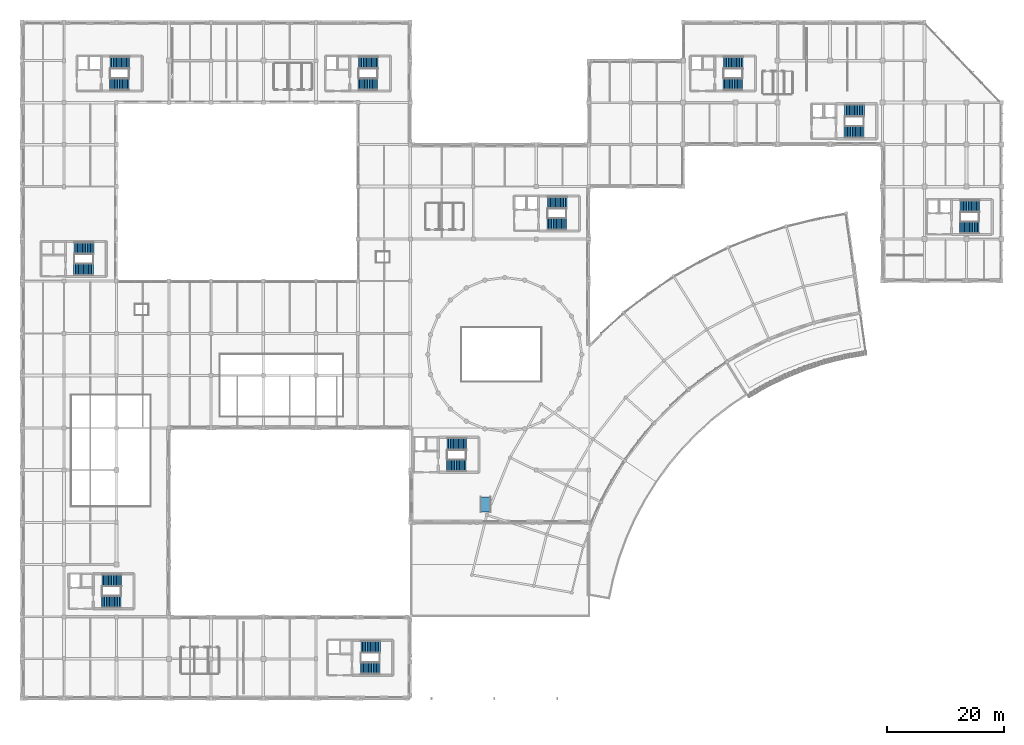
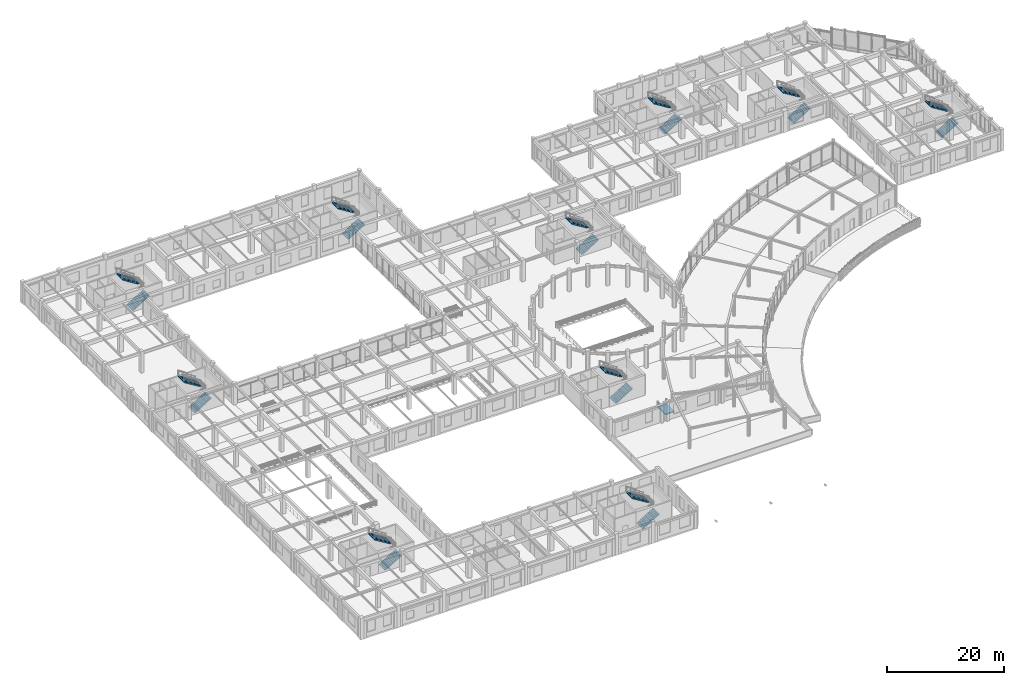
# One storey, part 49 of 62: 20 stair flights, 1 ramp flight, 11 elements without a shape of their own.
"""IFC4 building model written with IfcOpenShell, lengths in metres."""

from ifc_helpers import new_model, si_unit, direction, frame, origin, place, context, subcontext, project, spatial, polyline, outline, extrude, material, layer, layer_set, type_object, element, aggregate, save


model = new_model("IFC4")

# Units and contexts
model_context = context("Model", 3, precision=1e-05, world=origin(), true_north=direction((0.0, 1.0)))
body_context = subcontext(model_context, "Body", "Model", "MODEL_VIEW")
ifc_project = project(units=[si_unit("LENGTHUNIT", "METRE"), si_unit("AREAUNIT", "SQUARE_METRE"), si_unit("VOLUMEUNIT", "CUBIC_METRE"), si_unit("PLANEANGLEUNIT", "RADIAN"), si_unit("MASSUNIT", "GRAM", prefix="KILO")], contexts=[model_context])

# Site, building, storey
site_placement = place(None, origin())
site = spatial("IfcSite", under=ifc_project, at=site_placement, CompositionType="ELEMENT")
building_placement = place(site_placement, origin())
building = spatial("IfcBuilding", under=site, at=building_placement, Name="Clarverna Civic Hall", CompositionType="ELEMENT")
storey_placement = place(building_placement, frame((0.0, 0.0, 5.10009765625)))
storey = spatial("IfcBuildingStorey", under=building, at=storey_placement, Name="L01", CompositionType="ELEMENT", Elevation=5.10009765625)

# Stair, stair flights
ifc_material = material(Name="Concrete C30/37", Category="concrete")
stair_type_1 = type_object("IfcStairType", Name="ST-U1", PredefinedType="HALF_TURN_STAIR", material=ifc_material)
stair_1_placement = place(storey_placement, origin())
stair_1 = element("IfcStair", 1, at=stair_1_placement, inside=storey, type_object=stair_type_1, Name="ST-U1:L01:0002", PredefinedType="HALF_TURN_STAIR")
stair_flight_type = type_object("IfcStairFlightType", Name="SF-01", PredefinedType="STRAIGHT", material=ifc_material)
stair_flight_1_placement = place(storey_placement, frame((141.010009765625, 97.179931640625, 0.0), z_axis=(0.0, 0.0, 1.0), x_axis=(1.0, 0.0, 0.0)))
stair_flight_1 = element("IfcStairFlight", 2, at=stair_flight_1_placement, type_object=stair_flight_type, Name="SF-01:L01:0003", NumberOfRisers=13, NumberOfTreads=12, PredefinedType="STRAIGHT", RiserHeight=0.173077, TreadLength=0.28, context=body_context, shape_type="SweptSolid", body=[
    extrude(outline(polyline([(0.0, 0.0), (0.0, 0.173095703125), (0.280029296875, 0.173095703125), (0.280029296875, 0.34619140625), (0.56005859375, 0.34619140625), (0.56005859375, 0.519287109375), (0.840087890625, 0.519287109375), (0.840087890625, 0.6923828125), (1.1201171875, 0.6923828125), (1.1201171875, 0.865478515625), (1.39990234375, 0.865478515625), (1.39990234375, 1.03857421875), (1.679931640625, 1.03857421875), (1.679931640625, 1.21142578125), (1.9599609375, 1.21142578125), (1.9599609375, 1.384521484375), (2.239990234375, 1.384521484375), (2.239990234375, 1.5576171875), (2.52001953125, 1.5576171875), (2.52001953125, 1.730712890625), (2.800048828125, 1.730712890625), (2.800048828125, 1.90380859375), (3.080078125, 1.90380859375), (3.080078125, 2.076904296875), (3.360107421875, 2.076904296875), (3.360107421875, 2.25), (3.360107421875, 1.865478515625), (0.34228515625, 0.0), (0.0, 0.0)])), frame((0.0, 1.02001953125, 0.0), z_axis=(0.0, -1.0, 0.0), x_axis=(1.0, 0.0, 0.0)), (0.0, 0.0, 1.0), 2.0400390625),
])
stair_flight_2_placement = place(storey_placement, frame((144.4599609375, 100.820068359375, 2.25), z_axis=(0.0, 0.0, 1.0), x_axis=(-1.0, 0.0, 0.0)))
stair_flight_2 = element("IfcStairFlight", 3, at=stair_flight_2_placement, type_object=stair_flight_type, Name="SF-01:L01:0004", NumberOfRisers=13, NumberOfTreads=12, PredefinedType="STRAIGHT", RiserHeight=0.173077, TreadLength=0.28, context=body_context, shape_type="SweptSolid", body=[
    extrude(outline(polyline([(0.0, 0.0), (0.0, 0.173095703125), (0.280029296875, 0.173095703125), (0.280029296875, 0.34619140625), (0.56005859375, 0.34619140625), (0.56005859375, 0.519287109375), (0.840087890625, 0.519287109375), (0.840087890625, 0.6923828125), (1.1201171875, 0.6923828125), (1.1201171875, 0.865478515625), (1.39990234375, 0.865478515625), (1.39990234375, 1.03857421875), (1.679931640625, 1.03857421875), (1.679931640625, 1.21142578125), (1.9599609375, 1.21142578125), (1.9599609375, 1.384521484375), (2.239990234375, 1.384521484375), (2.239990234375, 1.5576171875), (2.52001953125, 1.5576171875), (2.52001953125, 1.730712890625), (2.800048828125, 1.730712890625), (2.800048828125, 1.90380859375), (3.080078125, 1.90380859375), (3.080078125, 2.076904296875), (3.360107421875, 2.076904296875), (3.360107421875, 2.25), (3.360107421875, 1.865478515625), (0.34228515625, 0.0), (0.0, 0.0)])), frame((0.0, 1.02001953125, 0.0), z_axis=(0.0, -1.0, 0.0), x_axis=(1.0, 0.0, 0.0)), (0.0, 0.0, 1.0), 2.0400390625),
])
aggregate(stair_1, [stair_flight_1, stair_flight_2])

stair_2_placement = place(storey_placement, origin())
stair_2 = element("IfcStair", 4, at=stair_2_placement, inside=storey, type_object=stair_type_1, Name="ST-U1:L01:0004", PredefinedType="HALF_TURN_STAIR")
stair_flight_3_placement = place(storey_placement, frame((160.81005859375, 80.780029296875, 0.0), z_axis=(0.0, 0.0, 1.0), x_axis=(1.0, 0.0, 0.0)))
stair_flight_3 = element("IfcStairFlight", 5, at=stair_flight_3_placement, type_object=stair_flight_type, Name="SF-01:L01:0007", NumberOfRisers=13, NumberOfTreads=12, PredefinedType="STRAIGHT", RiserHeight=0.173077, TreadLength=0.28, context=body_context, shape_type="SweptSolid", body=[
    extrude(outline(polyline([(0.0, 0.0), (0.0, 0.173095703125), (0.280029296875, 0.173095703125), (0.280029296875, 0.34619140625), (0.56005859375, 0.34619140625), (0.56005859375, 0.519287109375), (0.840087890625, 0.519287109375), (0.840087890625, 0.6923828125), (1.1201171875, 0.6923828125), (1.1201171875, 0.865478515625), (1.39990234375, 0.865478515625), (1.39990234375, 1.03857421875), (1.679931640625, 1.03857421875), (1.679931640625, 1.21142578125), (1.9599609375, 1.21142578125), (1.9599609375, 1.384521484375), (2.239990234375, 1.384521484375), (2.239990234375, 1.5576171875), (2.52001953125, 1.5576171875), (2.52001953125, 1.730712890625), (2.800048828125, 1.730712890625), (2.800048828125, 1.90380859375), (3.080078125, 1.90380859375), (3.080078125, 2.076904296875), (3.360107421875, 2.076904296875), (3.360107421875, 2.25), (3.360107421875, 1.865478515625), (0.34228515625, 0.0), (0.0, 0.0)])), frame((0.0, 1.02001953125, 0.0), z_axis=(0.0, -1.0, 0.0), x_axis=(1.0, 0.0, 0.0)), (0.0, 0.0, 1.0), 2.0400390625),
])
stair_flight_4_placement = place(storey_placement, frame((164.260009765625, 84.419921875, 2.25), z_axis=(0.0, 0.0, 1.0), x_axis=(-1.0, 0.0, 0.0)))
stair_flight_4 = element("IfcStairFlight", 6, at=stair_flight_4_placement, type_object=stair_flight_type, Name="SF-01:L01:0008", NumberOfRisers=13, NumberOfTreads=12, PredefinedType="STRAIGHT", RiserHeight=0.173077, TreadLength=0.28, context=body_context, shape_type="SweptSolid", body=[
    extrude(outline(polyline([(0.0, 0.0), (0.0, 0.173095703125), (0.280029296875, 0.173095703125), (0.280029296875, 0.34619140625), (0.56005859375, 0.34619140625), (0.56005859375, 0.519287109375), (0.840087890625, 0.519287109375), (0.840087890625, 0.6923828125), (1.1201171875, 0.6923828125), (1.1201171875, 0.865478515625), (1.39990234375, 0.865478515625), (1.39990234375, 1.03857421875), (1.679931640625, 1.03857421875), (1.679931640625, 1.21142578125), (1.9599609375, 1.21142578125), (1.9599609375, 1.384521484375), (2.239990234375, 1.384521484375), (2.239990234375, 1.5576171875), (2.52001953125, 1.5576171875), (2.52001953125, 1.730712890625), (2.800048828125, 1.730712890625), (2.800048828125, 1.90380859375), (3.080078125, 1.90380859375), (3.080078125, 2.076904296875), (3.360107421875, 2.076904296875), (3.360107421875, 2.25), (3.360107421875, 1.865478515625), (0.34228515625, 0.0), (0.0, 0.0)])), frame((0.0, 1.02001953125, 0.0), z_axis=(0.0, -1.0, 0.0), x_axis=(1.0, 0.0, 0.0)), (0.0, 0.0, 1.0), 2.0400390625),
])
aggregate(stair_2, [stair_flight_3, stair_flight_4])

stair_type_2 = type_object("IfcStairType", Name="ST-U2", PredefinedType="HALF_TURN_STAIR", material=ifc_material)
stair_3_placement = place(storey_placement, origin())
stair_3 = element("IfcStair", 7, at=stair_3_placement, inside=storey, type_object=stair_type_2, Name="ST-U2:L01:0002", PredefinedType="HALF_TURN_STAIR")
stair_flight_5_placement = place(storey_placement, frame((90.010009765625, 81.3798828125, 0.0), z_axis=(0.0, 0.0, 1.0), x_axis=(1.0, 0.0, 0.0)))
stair_flight_5 = element("IfcStairFlight", 8, at=stair_flight_5_placement, type_object=stair_flight_type, Name="SF-01:L01:0011", NumberOfRisers=13, NumberOfTreads=12, PredefinedType="STRAIGHT", RiserHeight=0.173077, TreadLength=0.28, context=body_context, shape_type="SweptSolid", body=[
    extrude(outline(polyline([(0.0, 0.0), (0.0, 0.173095703125), (0.280029296875, 0.173095703125), (0.280029296875, 0.34619140625), (0.56005859375, 0.34619140625), (0.56005859375, 0.519287109375), (0.840087890625, 0.519287109375), (0.840087890625, 0.6923828125), (1.1201171875, 0.6923828125), (1.1201171875, 0.865478515625), (1.39990234375, 0.865478515625), (1.39990234375, 1.03857421875), (1.679931640625, 1.03857421875), (1.679931640625, 1.21142578125), (1.9599609375, 1.21142578125), (1.9599609375, 1.384521484375), (2.239990234375, 1.384521484375), (2.239990234375, 1.5576171875), (2.52001953125, 1.5576171875), (2.52001953125, 1.730712890625), (2.800048828125, 1.730712890625), (2.800048828125, 1.90380859375), (3.080078125, 1.90380859375), (3.080078125, 2.076904296875), (3.360107421875, 2.076904296875), (3.360107421875, 2.25), (3.360107421875, 1.865478515625), (0.34228515625, 0.0), (0.0, 0.0)])), frame((0.0, 1.02001953125, 0.0), z_axis=(0.0, -1.0, 0.0), x_axis=(1.0, 0.0, 0.0)), (0.0, 0.0, 1.0), 2.0400390625),
])
stair_flight_6_placement = place(storey_placement, frame((93.4599609375, 85.02001953125, 2.25), z_axis=(0.0, 0.0, 1.0), x_axis=(-1.0, 0.0, 0.0)))
stair_flight_6 = element("IfcStairFlight", 9, at=stair_flight_6_placement, type_object=stair_flight_type, Name="SF-01:L01:0012", NumberOfRisers=13, NumberOfTreads=12, PredefinedType="STRAIGHT", RiserHeight=0.173077, TreadLength=0.28, context=body_context, shape_type="SweptSolid", body=[
    extrude(outline(polyline([(0.0, 0.0), (0.0, 0.173095703125), (0.280029296875, 0.173095703125), (0.280029296875, 0.34619140625), (0.56005859375, 0.34619140625), (0.56005859375, 0.519287109375), (0.840087890625, 0.519287109375), (0.840087890625, 0.6923828125), (1.1201171875, 0.6923828125), (1.1201171875, 0.865478515625), (1.39990234375, 0.865478515625), (1.39990234375, 1.03857421875), (1.679931640625, 1.03857421875), (1.679931640625, 1.21142578125), (1.9599609375, 1.21142578125), (1.9599609375, 1.384521484375), (2.239990234375, 1.384521484375), (2.239990234375, 1.5576171875), (2.52001953125, 1.5576171875), (2.52001953125, 1.730712890625), (2.800048828125, 1.730712890625), (2.800048828125, 1.90380859375), (3.080078125, 1.90380859375), (3.080078125, 2.076904296875), (3.360107421875, 2.076904296875), (3.360107421875, 2.25), (3.360107421875, 1.865478515625), (0.34228515625, 0.0), (0.0, 0.0)])), frame((0.0, 1.02001953125, 0.0), z_axis=(0.0, -1.0, 0.0), x_axis=(1.0, 0.0, 0.0)), (0.0, 0.0, 1.0), 2.0400390625),
])
aggregate(stair_3, [stair_flight_5, stair_flight_6])

stair_4_placement = place(storey_placement, origin())
stair_4 = element("IfcStair", 10, at=stair_4_placement, inside=storey, type_object=stair_type_1, Name="ST-U1:L01:0006", PredefinedType="HALF_TURN_STAIR")
stair_flight_7_placement = place(storey_placement, frame((72.81005859375, 39.97998046875, 0.0), z_axis=(0.0, 0.0, 1.0), x_axis=(1.0, 0.0, 0.0)))
stair_flight_7 = element("IfcStairFlight", 11, at=stair_flight_7_placement, type_object=stair_flight_type, Name="SF-01:L01:0015", NumberOfRisers=13, NumberOfTreads=12, PredefinedType="STRAIGHT", RiserHeight=0.173077, TreadLength=0.28, context=body_context, shape_type="SweptSolid", body=[
    extrude(outline(polyline([(0.0, 0.0), (0.0, 0.173095703125), (0.280029296875, 0.173095703125), (0.280029296875, 0.34619140625), (0.56005859375, 0.34619140625), (0.56005859375, 0.519287109375), (0.840087890625, 0.519287109375), (0.840087890625, 0.6923828125), (1.1201171875, 0.6923828125), (1.1201171875, 0.865478515625), (1.39990234375, 0.865478515625), (1.39990234375, 1.03857421875), (1.679931640625, 1.03857421875), (1.679931640625, 1.21142578125), (1.9599609375, 1.21142578125), (1.9599609375, 1.384521484375), (2.239990234375, 1.384521484375), (2.239990234375, 1.5576171875), (2.52001953125, 1.5576171875), (2.52001953125, 1.730712890625), (2.800048828125, 1.730712890625), (2.800048828125, 1.90380859375), (3.080078125, 1.90380859375), (3.080078125, 2.076904296875), (3.360107421875, 2.076904296875), (3.360107421875, 2.25), (3.360107421875, 1.865478515625), (0.34228515625, 0.0), (0.0, 0.0)])), frame((0.0, 1.02001953125, 0.0), z_axis=(0.0, -1.0, 0.0), x_axis=(1.0, 0.0, 0.0)), (0.0, 0.0, 1.0), 2.0400390625),
])
stair_flight_8_placement = place(storey_placement, frame((76.260009765625, 43.6201171875, 2.25), z_axis=(0.0, 0.0, 1.0), x_axis=(-1.0, 0.0, 0.0)))
stair_flight_8 = element("IfcStairFlight", 12, at=stair_flight_8_placement, type_object=stair_flight_type, Name="SF-01:L01:0016", NumberOfRisers=13, NumberOfTreads=12, PredefinedType="STRAIGHT", RiserHeight=0.173077, TreadLength=0.28, context=body_context, shape_type="SweptSolid", body=[
    extrude(outline(polyline([(0.0, 0.0), (0.0, 0.173095703125), (0.280029296875, 0.173095703125), (0.280029296875, 0.34619140625), (0.56005859375, 0.34619140625), (0.56005859375, 0.519287109375), (0.840087890625, 0.519287109375), (0.840087890625, 0.6923828125), (1.1201171875, 0.6923828125), (1.1201171875, 0.865478515625), (1.39990234375, 0.865478515625), (1.39990234375, 1.03857421875), (1.679931640625, 1.03857421875), (1.679931640625, 1.21142578125), (1.9599609375, 1.21142578125), (1.9599609375, 1.384521484375), (2.239990234375, 1.384521484375), (2.239990234375, 1.5576171875), (2.52001953125, 1.5576171875), (2.52001953125, 1.730712890625), (2.800048828125, 1.730712890625), (2.800048828125, 1.90380859375), (3.080078125, 1.90380859375), (3.080078125, 2.076904296875), (3.360107421875, 2.076904296875), (3.360107421875, 2.25), (3.360107421875, 1.865478515625), (0.34228515625, 0.0), (0.0, 0.0)])), frame((0.0, 1.02001953125, 0.0), z_axis=(0.0, -1.0, 0.0), x_axis=(1.0, 0.0, 0.0)), (0.0, 0.0, 1.0), 2.0400390625),
])
aggregate(stair_4, [stair_flight_7, stair_flight_8])

stair_5_placement = place(storey_placement, origin())
stair_5 = element("IfcStair", 13, at=stair_5_placement, inside=storey, type_object=stair_type_1, Name="ST-U1:L01:0008", PredefinedType="HALF_TURN_STAIR")
stair_flight_9_placement = place(storey_placement, frame((15.010009765625, 105.3798828125, 0.0), z_axis=(0.0, 0.0, 1.0), x_axis=(1.0, 0.0, 0.0)))
stair_flight_9 = element("IfcStairFlight", 14, at=stair_flight_9_placement, type_object=stair_flight_type, Name="SF-01:L01:0019", NumberOfRisers=13, NumberOfTreads=12, PredefinedType="STRAIGHT", RiserHeight=0.173077, TreadLength=0.28, context=body_context, shape_type="SweptSolid", body=[
    extrude(outline(polyline([(0.0, 0.0), (0.0, 0.173095703125), (0.280029296875, 0.173095703125), (0.280029296875, 0.34619140625), (0.56005859375, 0.34619140625), (0.56005859375, 0.519287109375), (0.840087890625, 0.519287109375), (0.840087890625, 0.6923828125), (1.1201171875, 0.6923828125), (1.1201171875, 0.865478515625), (1.39990234375, 0.865478515625), (1.39990234375, 1.03857421875), (1.679931640625, 1.03857421875), (1.679931640625, 1.21142578125), (1.9599609375, 1.21142578125), (1.9599609375, 1.384521484375), (2.239990234375, 1.384521484375), (2.239990234375, 1.5576171875), (2.52001953125, 1.5576171875), (2.52001953125, 1.730712890625), (2.800048828125, 1.730712890625), (2.800048828125, 1.90380859375), (3.080078125, 1.90380859375), (3.080078125, 2.076904296875), (3.360107421875, 2.076904296875), (3.360107421875, 2.25), (3.360107421875, 1.865478515625), (0.34228515625, 0.0), (0.0, 0.0)])), frame((0.0, 1.02001953125, 0.0), z_axis=(0.0, -1.0, 0.0), x_axis=(1.0, 0.0, 0.0)), (0.0, 0.0, 1.0), 2.0400390625),
])
stair_flight_10_placement = place(storey_placement, frame((18.4599609375, 109.02001953125, 2.25), z_axis=(0.0, 0.0, 1.0), x_axis=(-1.0, 0.0, 0.0)))
stair_flight_10 = element("IfcStairFlight", 15, at=stair_flight_10_placement, type_object=stair_flight_type, Name="SF-01:L01:0020", NumberOfRisers=13, NumberOfTreads=12, PredefinedType="STRAIGHT", RiserHeight=0.173077, TreadLength=0.28, context=body_context, shape_type="SweptSolid", body=[
    extrude(outline(polyline([(0.0, 0.0), (0.0, 0.173095703125), (0.280029296875, 0.173095703125), (0.280029296875, 0.34619140625), (0.56005859375, 0.34619140625), (0.56005859375, 0.519287109375), (0.840087890625, 0.519287109375), (0.840087890625, 0.6923828125), (1.1201171875, 0.6923828125), (1.1201171875, 0.865478515625), (1.39990234375, 0.865478515625), (1.39990234375, 1.03857421875), (1.679931640625, 1.03857421875), (1.679931640625, 1.21142578125), (1.9599609375, 1.21142578125), (1.9599609375, 1.384521484375), (2.239990234375, 1.384521484375), (2.239990234375, 1.5576171875), (2.52001953125, 1.5576171875), (2.52001953125, 1.730712890625), (2.800048828125, 1.730712890625), (2.800048828125, 1.90380859375), (3.080078125, 1.90380859375), (3.080078125, 2.076904296875), (3.360107421875, 2.076904296875), (3.360107421875, 2.25), (3.360107421875, 1.865478515625), (0.34228515625, 0.0), (0.0, 0.0)])), frame((0.0, 1.02001953125, 0.0), z_axis=(0.0, -1.0, 0.0), x_axis=(1.0, 0.0, 0.0)), (0.0, 0.0, 1.0), 2.0400390625),
])
aggregate(stair_5, [stair_flight_9, stair_flight_10])

stair_6_placement = place(storey_placement, origin())
stair_6 = element("IfcStair", 16, at=stair_6_placement, inside=storey, type_object=stair_type_1, Name="ST-U1:L01:0010", PredefinedType="HALF_TURN_STAIR")
stair_flight_11_placement = place(storey_placement, frame((58.010009765625, 5.179931640625, 0.0), z_axis=(0.0, 0.0, 1.0), x_axis=(1.0, 0.0, 0.0)))
stair_flight_11 = element("IfcStairFlight", 17, at=stair_flight_11_placement, type_object=stair_flight_type, Name="SF-01:L01:0023", NumberOfRisers=13, NumberOfTreads=12, PredefinedType="STRAIGHT", RiserHeight=0.173077, TreadLength=0.28, context=body_context, shape_type="SweptSolid", body=[
    extrude(outline(polyline([(0.0, 0.0), (0.0, 0.173095703125), (0.280029296875, 0.173095703125), (0.280029296875, 0.34619140625), (0.56005859375, 0.34619140625), (0.56005859375, 0.519287109375), (0.840087890625, 0.519287109375), (0.840087890625, 0.6923828125), (1.1201171875, 0.6923828125), (1.1201171875, 0.865478515625), (1.39990234375, 0.865478515625), (1.39990234375, 1.03857421875), (1.679931640625, 1.03857421875), (1.679931640625, 1.21142578125), (1.9599609375, 1.21142578125), (1.9599609375, 1.384521484375), (2.239990234375, 1.384521484375), (2.239990234375, 1.5576171875), (2.52001953125, 1.5576171875), (2.52001953125, 1.730712890625), (2.800048828125, 1.730712890625), (2.800048828125, 1.90380859375), (3.080078125, 1.90380859375), (3.080078125, 2.076904296875), (3.360107421875, 2.076904296875), (3.360107421875, 2.25), (3.360107421875, 1.865478515625), (0.34228515625, 0.0), (0.0, 0.0)])), frame((0.0, 1.02001953125, 0.0), z_axis=(0.0, -1.0, 0.0), x_axis=(1.0, 0.0, 0.0)), (0.0, 0.0, 1.0), 2.0400390625),
])
stair_flight_12_placement = place(storey_placement, frame((61.4599609375, 8.820068359375, 2.25), z_axis=(0.0, 0.0, 1.0), x_axis=(-1.0, 0.0, 0.0)))
stair_flight_12 = element("IfcStairFlight", 18, at=stair_flight_12_placement, type_object=stair_flight_type, Name="SF-01:L01:0024", NumberOfRisers=13, NumberOfTreads=12, PredefinedType="STRAIGHT", RiserHeight=0.173077, TreadLength=0.28, context=body_context, shape_type="SweptSolid", body=[
    extrude(outline(polyline([(0.0, 0.0), (0.0, 0.173095703125), (0.280029296875, 0.173095703125), (0.280029296875, 0.34619140625), (0.56005859375, 0.34619140625), (0.56005859375, 0.519287109375), (0.840087890625, 0.519287109375), (0.840087890625, 0.6923828125), (1.1201171875, 0.6923828125), (1.1201171875, 0.865478515625), (1.39990234375, 0.865478515625), (1.39990234375, 1.03857421875), (1.679931640625, 1.03857421875), (1.679931640625, 1.21142578125), (1.9599609375, 1.21142578125), (1.9599609375, 1.384521484375), (2.239990234375, 1.384521484375), (2.239990234375, 1.5576171875), (2.52001953125, 1.5576171875), (2.52001953125, 1.730712890625), (2.800048828125, 1.730712890625), (2.800048828125, 1.90380859375), (3.080078125, 1.90380859375), (3.080078125, 2.076904296875), (3.360107421875, 2.076904296875), (3.360107421875, 2.25), (3.360107421875, 1.865478515625), (0.34228515625, 0.0), (0.0, 0.0)])), frame((0.0, 1.02001953125, 0.0), z_axis=(0.0, -1.0, 0.0), x_axis=(1.0, 0.0, 0.0)), (0.0, 0.0, 1.0), 2.0400390625),
])
aggregate(stair_6, [stair_flight_11, stair_flight_12])

stair_7_placement = place(storey_placement, origin())
stair_7 = element("IfcStair", 19, at=stair_7_placement, inside=storey, type_object=stair_type_1, Name="ST-U1:L01:0012", PredefinedType="HALF_TURN_STAIR")
stair_flight_13_placement = place(storey_placement, frame((13.610107421875, 16.580078125, 0.0), z_axis=(0.0, 0.0, 1.0), x_axis=(1.0, 0.0, 0.0)))
stair_flight_13 = element("IfcStairFlight", 20, at=stair_flight_13_placement, type_object=stair_flight_type, Name="SF-01:L01:0027", NumberOfRisers=13, NumberOfTreads=12, PredefinedType="STRAIGHT", RiserHeight=0.173077, TreadLength=0.28, context=body_context, shape_type="SweptSolid", body=[
    extrude(outline(polyline([(0.0, 0.0), (0.0, 0.173095703125), (0.280029296875, 0.173095703125), (0.280029296875, 0.34619140625), (0.56005859375, 0.34619140625), (0.56005859375, 0.519287109375), (0.840087890625, 0.519287109375), (0.840087890625, 0.6923828125), (1.1201171875, 0.6923828125), (1.1201171875, 0.865478515625), (1.39990234375, 0.865478515625), (1.39990234375, 1.03857421875), (1.679931640625, 1.03857421875), (1.679931640625, 1.21142578125), (1.9599609375, 1.21142578125), (1.9599609375, 1.384521484375), (2.239990234375, 1.384521484375), (2.239990234375, 1.5576171875), (2.52001953125, 1.5576171875), (2.52001953125, 1.730712890625), (2.800048828125, 1.730712890625), (2.800048828125, 1.90380859375), (3.080078125, 1.90380859375), (3.080078125, 2.076904296875), (3.360107421875, 2.076904296875), (3.360107421875, 2.25), (3.360107421875, 1.865478515625), (0.34228515625, 0.0), (0.0, 0.0)])), frame((0.0, 1.02001953125, 0.0), z_axis=(0.0, -1.0, 0.0), x_axis=(1.0, 0.0, 0.0)), (0.0, 0.0, 1.0), 2.0400390625),
])
stair_flight_14_placement = place(storey_placement, frame((17.06005859375, 20.219970703125, 2.25), z_axis=(0.0, 0.0, 1.0), x_axis=(-1.0, 0.0, 0.0)))
stair_flight_14 = element("IfcStairFlight", 21, at=stair_flight_14_placement, type_object=stair_flight_type, Name="SF-01:L01:0028", NumberOfRisers=13, NumberOfTreads=12, PredefinedType="STRAIGHT", RiserHeight=0.173077, TreadLength=0.28, context=body_context, shape_type="SweptSolid", body=[
    extrude(outline(polyline([(0.0, 0.0), (0.0, 0.173095703125), (0.280029296875, 0.173095703125), (0.280029296875, 0.34619140625), (0.56005859375, 0.34619140625), (0.56005859375, 0.519287109375), (0.840087890625, 0.519287109375), (0.840087890625, 0.6923828125), (1.1201171875, 0.6923828125), (1.1201171875, 0.865478515625), (1.39990234375, 0.865478515625), (1.39990234375, 1.03857421875), (1.679931640625, 1.03857421875), (1.679931640625, 1.21142578125), (1.9599609375, 1.21142578125), (1.9599609375, 1.384521484375), (2.239990234375, 1.384521484375), (2.239990234375, 1.5576171875), (2.52001953125, 1.5576171875), (2.52001953125, 1.730712890625), (2.800048828125, 1.730712890625), (2.800048828125, 1.90380859375), (3.080078125, 1.90380859375), (3.080078125, 2.076904296875), (3.360107421875, 2.076904296875), (3.360107421875, 2.25), (3.360107421875, 1.865478515625), (0.34228515625, 0.0), (0.0, 0.0)])), frame((0.0, 1.02001953125, 0.0), z_axis=(0.0, -1.0, 0.0), x_axis=(1.0, 0.0, 0.0)), (0.0, 0.0, 1.0), 2.0400390625),
])
aggregate(stair_7, [stair_flight_13, stair_flight_14])

stair_8_placement = place(storey_placement, origin())
stair_8 = element("IfcStair", 22, at=stair_8_placement, inside=storey, type_object=stair_type_1, Name="ST-U1:L01:0014", PredefinedType="HALF_TURN_STAIR")
stair_flight_15_placement = place(storey_placement, frame((120.2099609375, 105.3798828125, 0.0), z_axis=(0.0, 0.0, 1.0), x_axis=(1.0, 0.0, 0.0)))
stair_flight_15 = element("IfcStairFlight", 23, at=stair_flight_15_placement, type_object=stair_flight_type, Name="SF-01:L01:0031", NumberOfRisers=13, NumberOfTreads=12, PredefinedType="STRAIGHT", RiserHeight=0.173077, TreadLength=0.28, context=body_context, shape_type="SweptSolid", body=[
    extrude(outline(polyline([(0.0, 0.0), (0.0, 0.173095703125), (0.280029296875, 0.173095703125), (0.280029296875, 0.34619140625), (0.56005859375, 0.34619140625), (0.56005859375, 0.519287109375), (0.840087890625, 0.519287109375), (0.840087890625, 0.6923828125), (1.1201171875, 0.6923828125), (1.1201171875, 0.865478515625), (1.39990234375, 0.865478515625), (1.39990234375, 1.03857421875), (1.679931640625, 1.03857421875), (1.679931640625, 1.21142578125), (1.9599609375, 1.21142578125), (1.9599609375, 1.384521484375), (2.239990234375, 1.384521484375), (2.239990234375, 1.5576171875), (2.52001953125, 1.5576171875), (2.52001953125, 1.730712890625), (2.800048828125, 1.730712890625), (2.800048828125, 1.90380859375), (3.080078125, 1.90380859375), (3.080078125, 2.076904296875), (3.360107421875, 2.076904296875), (3.360107421875, 2.25), (3.360107421875, 1.865478515625), (0.34228515625, 0.0), (0.0, 0.0)])), frame((0.0, 1.02001953125, 0.0), z_axis=(0.0, -1.0, 0.0), x_axis=(1.0, 0.0, 0.0)), (0.0, 0.0, 1.0), 2.0400390625),
])
stair_flight_16_placement = place(storey_placement, frame((123.659912109375, 109.02001953125, 2.25), z_axis=(0.0, 0.0, 1.0), x_axis=(-1.0, 0.0, 0.0)))
stair_flight_16 = element("IfcStairFlight", 24, at=stair_flight_16_placement, type_object=stair_flight_type, Name="SF-01:L01:0032", NumberOfRisers=13, NumberOfTreads=12, PredefinedType="STRAIGHT", RiserHeight=0.173077, TreadLength=0.28, context=body_context, shape_type="SweptSolid", body=[
    extrude(outline(polyline([(0.0, 0.0), (0.0, 0.173095703125), (0.280029296875, 0.173095703125), (0.280029296875, 0.34619140625), (0.56005859375, 0.34619140625), (0.56005859375, 0.519287109375), (0.840087890625, 0.519287109375), (0.840087890625, 0.6923828125), (1.1201171875, 0.6923828125), (1.1201171875, 0.865478515625), (1.39990234375, 0.865478515625), (1.39990234375, 1.03857421875), (1.679931640625, 1.03857421875), (1.679931640625, 1.21142578125), (1.9599609375, 1.21142578125), (1.9599609375, 1.384521484375), (2.239990234375, 1.384521484375), (2.239990234375, 1.5576171875), (2.52001953125, 1.5576171875), (2.52001953125, 1.730712890625), (2.800048828125, 1.730712890625), (2.800048828125, 1.90380859375), (3.080078125, 1.90380859375), (3.080078125, 2.076904296875), (3.360107421875, 2.076904296875), (3.360107421875, 2.25), (3.360107421875, 1.865478515625), (0.34228515625, 0.0), (0.0, 0.0)])), frame((0.0, 1.02001953125, 0.0), z_axis=(0.0, -1.0, 0.0), x_axis=(1.0, 0.0, 0.0)), (0.0, 0.0, 1.0), 2.0400390625),
])
aggregate(stair_8, [stair_flight_15, stair_flight_16])

stair_9_placement = place(storey_placement, origin())
stair_9 = element("IfcStair", 25, at=stair_9_placement, inside=storey, type_object=stair_type_1, Name="ST-U1:L01:0016", PredefinedType="HALF_TURN_STAIR")
stair_flight_17_placement = place(storey_placement, frame((57.610107421875, 105.3798828125, 0.0), z_axis=(0.0, 0.0, 1.0), x_axis=(1.0, 0.0, 0.0)))
stair_flight_17 = element("IfcStairFlight", 26, at=stair_flight_17_placement, type_object=stair_flight_type, Name="SF-01:L01:0035", NumberOfRisers=13, NumberOfTreads=12, PredefinedType="STRAIGHT", RiserHeight=0.173077, TreadLength=0.28, context=body_context, shape_type="SweptSolid", body=[
    extrude(outline(polyline([(0.0, 0.0), (0.0, 0.173095703125), (0.280029296875, 0.173095703125), (0.280029296875, 0.34619140625), (0.56005859375, 0.34619140625), (0.56005859375, 0.519287109375), (0.840087890625, 0.519287109375), (0.840087890625, 0.6923828125), (1.1201171875, 0.6923828125), (1.1201171875, 0.865478515625), (1.39990234375, 0.865478515625), (1.39990234375, 1.03857421875), (1.679931640625, 1.03857421875), (1.679931640625, 1.21142578125), (1.9599609375, 1.21142578125), (1.9599609375, 1.384521484375), (2.239990234375, 1.384521484375), (2.239990234375, 1.5576171875), (2.52001953125, 1.5576171875), (2.52001953125, 1.730712890625), (2.800048828125, 1.730712890625), (2.800048828125, 1.90380859375), (3.080078125, 1.90380859375), (3.080078125, 2.076904296875), (3.360107421875, 2.076904296875), (3.360107421875, 2.25), (3.360107421875, 1.865478515625), (0.34228515625, 0.0), (0.0, 0.0)])), frame((0.0, 1.02001953125, 0.0), z_axis=(0.0, -1.0, 0.0), x_axis=(1.0, 0.0, 0.0)), (0.0, 0.0, 1.0), 2.0400390625),
])
stair_flight_18_placement = place(storey_placement, frame((61.06005859375, 109.02001953125, 2.25), z_axis=(0.0, 0.0, 1.0), x_axis=(-1.0, 0.0, 0.0)))
stair_flight_18 = element("IfcStairFlight", 27, at=stair_flight_18_placement, type_object=stair_flight_type, Name="SF-01:L01:0036", NumberOfRisers=13, NumberOfTreads=12, PredefinedType="STRAIGHT", RiserHeight=0.173077, TreadLength=0.28, context=body_context, shape_type="SweptSolid", body=[
    extrude(outline(polyline([(0.0, 0.0), (0.0, 0.173095703125), (0.280029296875, 0.173095703125), (0.280029296875, 0.34619140625), (0.56005859375, 0.34619140625), (0.56005859375, 0.519287109375), (0.840087890625, 0.519287109375), (0.840087890625, 0.6923828125), (1.1201171875, 0.6923828125), (1.1201171875, 0.865478515625), (1.39990234375, 0.865478515625), (1.39990234375, 1.03857421875), (1.679931640625, 1.03857421875), (1.679931640625, 1.21142578125), (1.9599609375, 1.21142578125), (1.9599609375, 1.384521484375), (2.239990234375, 1.384521484375), (2.239990234375, 1.5576171875), (2.52001953125, 1.5576171875), (2.52001953125, 1.730712890625), (2.800048828125, 1.730712890625), (2.800048828125, 1.90380859375), (3.080078125, 1.90380859375), (3.080078125, 2.076904296875), (3.360107421875, 2.076904296875), (3.360107421875, 2.25), (3.360107421875, 1.865478515625), (0.34228515625, 0.0), (0.0, 0.0)])), frame((0.0, 1.02001953125, 0.0), z_axis=(0.0, -1.0, 0.0), x_axis=(1.0, 0.0, 0.0)), (0.0, 0.0, 1.0), 2.0400390625),
])
aggregate(stair_9, [stair_flight_17, stair_flight_18])

stair_10_placement = place(storey_placement, origin())
stair_10 = element("IfcStair", 28, at=stair_10_placement, inside=storey, type_object=stair_type_1, Name="ST-U1:L01:0018", PredefinedType="HALF_TURN_STAIR")
stair_flight_19_placement = place(storey_placement, frame((8.860107421875, 73.580078125, 0.0), z_axis=(0.0, 0.0, 1.0), x_axis=(1.0, 0.0, 0.0)))
stair_flight_19 = element("IfcStairFlight", 29, at=stair_flight_19_placement, type_object=stair_flight_type, Name="SF-01:L01:0039", NumberOfRisers=13, NumberOfTreads=12, PredefinedType="STRAIGHT", RiserHeight=0.173077, TreadLength=0.28, context=body_context, shape_type="SweptSolid", body=[
    extrude(outline(polyline([(0.0, 0.0), (0.0, 0.173095703125), (0.280029296875, 0.173095703125), (0.280029296875, 0.34619140625), (0.56005859375, 0.34619140625), (0.56005859375, 0.519287109375), (0.840087890625, 0.519287109375), (0.840087890625, 0.6923828125), (1.1201171875, 0.6923828125), (1.1201171875, 0.865478515625), (1.39990234375, 0.865478515625), (1.39990234375, 1.03857421875), (1.679931640625, 1.03857421875), (1.679931640625, 1.21142578125), (1.9599609375, 1.21142578125), (1.9599609375, 1.384521484375), (2.239990234375, 1.384521484375), (2.239990234375, 1.5576171875), (2.52001953125, 1.5576171875), (2.52001953125, 1.730712890625), (2.800048828125, 1.730712890625), (2.800048828125, 1.90380859375), (3.080078125, 1.90380859375), (3.080078125, 2.076904296875), (3.360107421875, 2.076904296875), (3.360107421875, 2.25), (3.360107421875, 1.865478515625), (0.34228515625, 0.0), (0.0, 0.0)])), frame((0.0, 1.02001953125, 0.0), z_axis=(0.0, -1.0, 0.0), x_axis=(1.0, 0.0, 0.0)), (0.0, 0.0, 1.0), 2.0400390625),
])
stair_flight_20_placement = place(storey_placement, frame((12.31005859375, 77.219970703125, 2.25), z_axis=(0.0, 0.0, 1.0), x_axis=(-1.0, 0.0, 0.0)))
stair_flight_20 = element("IfcStairFlight", 30, at=stair_flight_20_placement, type_object=stair_flight_type, Name="SF-01:L01:0040", NumberOfRisers=13, NumberOfTreads=12, PredefinedType="STRAIGHT", RiserHeight=0.173077, TreadLength=0.28, context=body_context, shape_type="SweptSolid", body=[
    extrude(outline(polyline([(0.0, 0.0), (0.0, 0.173095703125), (0.280029296875, 0.173095703125), (0.280029296875, 0.34619140625), (0.56005859375, 0.34619140625), (0.56005859375, 0.519287109375), (0.840087890625, 0.519287109375), (0.840087890625, 0.6923828125), (1.1201171875, 0.6923828125), (1.1201171875, 0.865478515625), (1.39990234375, 0.865478515625), (1.39990234375, 1.03857421875), (1.679931640625, 1.03857421875), (1.679931640625, 1.21142578125), (1.9599609375, 1.21142578125), (1.9599609375, 1.384521484375), (2.239990234375, 1.384521484375), (2.239990234375, 1.5576171875), (2.52001953125, 1.5576171875), (2.52001953125, 1.730712890625), (2.800048828125, 1.730712890625), (2.800048828125, 1.90380859375), (3.080078125, 1.90380859375), (3.080078125, 2.076904296875), (3.360107421875, 2.076904296875), (3.360107421875, 2.25), (3.360107421875, 1.865478515625), (0.34228515625, 0.0), (0.0, 0.0)])), frame((0.0, 1.02001953125, 0.0), z_axis=(0.0, -1.0, 0.0), x_axis=(1.0, 0.0, 0.0)), (0.0, 0.0, 1.0), 2.0400390625),
])
aggregate(stair_10, [stair_flight_19, stair_flight_20])

# Ramp, ramp flight
ramp_type = type_object("IfcRampType", Name="RMP-P1", PredefinedType="STRAIGHT_RUN_RAMP", material=ifc_material)
ramp_placement = place(storey_placement, origin())
ramp = element("IfcRamp", 31, at=ramp_placement, inside=storey, type_object=ramp_type, Name="Pedestrian Ramp RMP-04", PredefinedType="STRAIGHT_RUN_RAMP")
ifc_layer = layer(ifc_material, 0.219970703125)
ifc_layer_set = layer_set([ifc_layer], Name="Concrete C30/37")
ramp_flight_type = type_object("IfcRampFlightType", Name="RF-P1", PredefinedType="STRAIGHT", material=ifc_layer_set)
ramp_flight_placement = place(storey_placement, frame((78.60009765625, 32.0, 0.0), z_axis=(0.0, -0.007699302302, 0.999970359933), x_axis=(1.0, 0.0, 0.0)))
ramp_flight = element("IfcRampFlight", 32, at=ramp_flight_placement, type_object=ramp_flight_type, Name="RF-P1-003", PredefinedType="STRAIGHT", context=body_context, shape_type="SweptSolid", body=[
    extrude(outline(polyline([(0.0, 0.0), (1.7998046875, 0.0), (1.7998046875, 2.6001747256036882), (0.0, 2.6001747256036882), (0.0, 0.0)])), origin(), (0.0, 0.0, -1.0), 0.219970703125),
])
aggregate(ramp, [ramp_flight])

save(model, "model.ifc")
